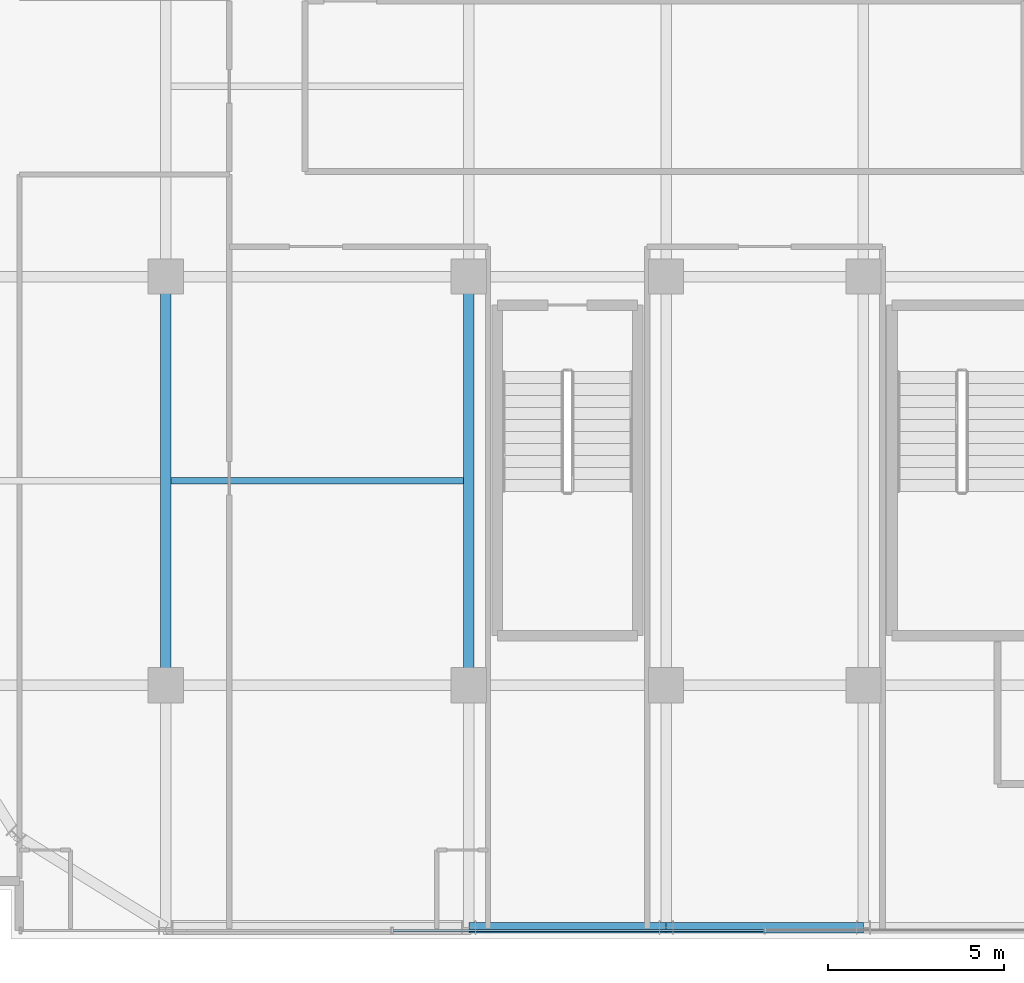
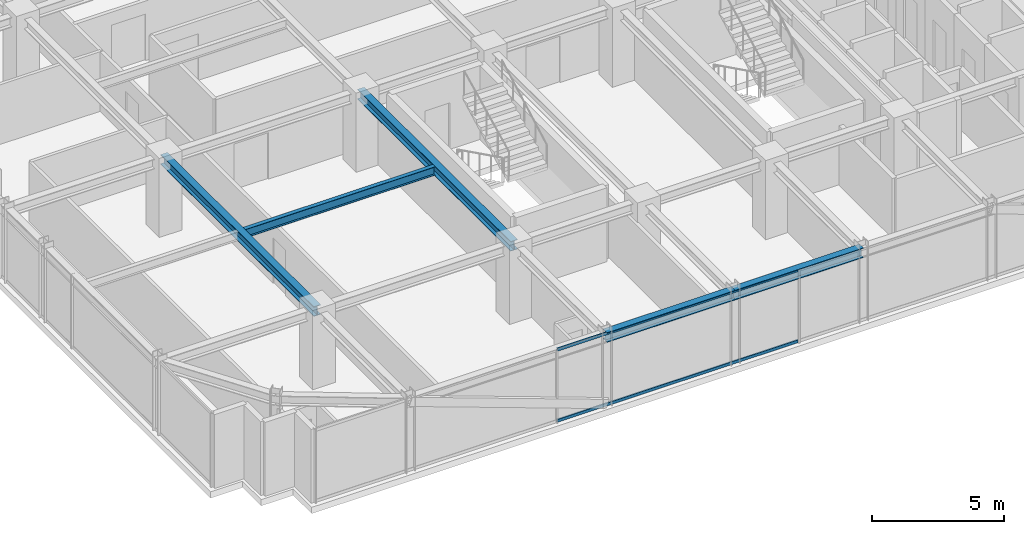
# One storey, part 7 of 36: 5 beams, 2 members, 1 element without a shape of its own.
"""IFC4 building model written with IfcOpenShell, lengths in metres."""

from ifc_helpers import new_model, si_unit, direction, frame, origin, origin_2d, place, context, subcontext, project, spatial, hollow_rectangle, i_section, extrude, source, transform, mapped, material, material_profile, profile_set, type_object, element, aggregate, save


model = new_model("IFC4")

# Units and contexts
model_context = context("Model", 3, precision=1e-05, world=origin(), true_north=direction((0.0, 1.0)))
body_context = subcontext(model_context, "Body", "Model", "MODEL_VIEW")
ifc_project = project(units=[si_unit("LENGTHUNIT", "METRE"), si_unit("AREAUNIT", "SQUARE_METRE"), si_unit("VOLUMEUNIT", "CUBIC_METRE"), si_unit("PLANEANGLEUNIT", "RADIAN"), si_unit("MASSUNIT", "GRAM", prefix="KILO")], contexts=[model_context])

# Site, building, storey
site_placement = place(None, origin())
site = spatial("IfcSite", under=ifc_project, at=site_placement, CompositionType="ELEMENT")
building_placement = place(site_placement, origin())
building = spatial("IfcBuilding", under=site, at=building_placement, Name="Nahalor Promenade Grand Hotel", CompositionType="ELEMENT")
storey_placement = place(building_placement, frame((0.0, 0.0, 234.5)))
storey = spatial("IfcBuildingStorey", under=building, at=storey_placement, Name="L60", CompositionType="ELEMENT", Elevation=234.5)

# Beams
ifc_material_1 = material(Name="Steel S355JR", Category="steel")
ifc_material_profile_1 = material_profile(ifc_material_1, i_section(OverallWidth=0.3, OverallDepth=0.45, WebThickness=0.014, FlangeThickness=0.026, at=origin_2d()), Name="HEB 450")
ifc_profile_set_1 = profile_set([ifc_material_profile_1], Name="Steel S355JR")
beam_type_1 = type_object("IfcBeamType", Name="Beam-Spandrel-HEB450", PredefinedType="SPANDREL", material=ifc_profile_set_1)
shared_shape_1 = source(origin(), body_context, "Body", "SweptSolid", [
    extrude(i_section(OverallWidth=0.3, OverallDepth=0.45, WebThickness=0.014, FlangeThickness=0.026, at=origin_2d()), origin(), (0.0, 0.0, 1.0), 5.599853515625),
])
beam_1_placement = place(storey_placement, frame((-8.39990234375, -23.8798828125, 3.18505859375), z_axis=(1.0, 0.0, 0.0), x_axis=(0.0, 1.0, 0.0)))
element("IfcBeam", 1, at=beam_1_placement, inside=storey, type_object=beam_type_1, Name="BM-L60-SP-S-1", PredefinedType="SPANDREL", context=body_context, shape_type="MappedRepresentation", body=[
    mapped(shared_shape_1, transform((0.0, 0.0, 0.0), scale=1.0)),
])
shared_shape_2 = source(origin(), body_context, "Body", "SweptSolid", [
    extrude(i_section(OverallWidth=0.3, OverallDepth=0.45, WebThickness=0.014, FlangeThickness=0.026, at=origin_2d()), origin(), (0.0, 0.0, 1.0), 5.60009765625),
])
beam_2_placement = place(storey_placement, frame((-2.800048828125, -23.8798828125, 3.18505859375), z_axis=(1.0, 0.0, 0.0), x_axis=(0.0, 1.0, 0.0)))
element("IfcBeam", 2, at=beam_2_placement, inside=storey, type_object=beam_type_1, Name="BM-L60-SP-S-2", PredefinedType="SPANDREL", context=body_context, shape_type="MappedRepresentation", body=[
    mapped(shared_shape_2, transform((0.0, 0.0, 0.0), scale=1.0)),
])
ifc_material_profile_2 = material_profile(ifc_material_1, i_section(OverallWidth=0.3, OverallDepth=0.45, WebThickness=0.014, FlangeThickness=0.026, at=origin_2d()), Name="HEB 450")
ifc_profile_set_2 = profile_set([ifc_material_profile_2], Name="Steel S355JR")
beam_type_2 = type_object("IfcBeamType", Name="Beam-Girder-HEB450", PredefinedType="BEAM", material=ifc_profile_set_2)
shared_shape_3 = source(origin(), body_context, "Body", "SweptSolid", [
    extrude(i_section(OverallWidth=0.3, OverallDepth=0.45, WebThickness=0.014, FlangeThickness=0.026, at=origin_2d()), origin(), (0.0, 0.0, 1.0), 11.60009765625),
])
for number, where, z_axis, x_axis, name in (
    (3, (-17.0, -17.0, 3.18505859375), (0.0, 1.0, 0.0), (-1.0, 0.0, 0.0), "BM-L60-GY-0-1"),
    (4, (-8.39990234375, -17.0, 3.18505859375), (0.0, 1.0, 0.0), (-1.0, 0.0, 0.0), "BM-L60-GY-1-1"),
):
    element("IfcBeam", number, at=place(storey_placement, frame(where, z_axis=z_axis, x_axis=x_axis)), inside=storey, type_object=beam_type_2, Name=name, PredefinedType="BEAM", context=body_context, shape_type="MappedRepresentation", body=[
        mapped(shared_shape_3, transform((0.0, 0.0, 0.0), scale=1.0)),
    ])
ifc_material_profile_3 = material_profile(ifc_material_1, i_section(OverallWidth=0.18, OverallDepth=0.4, WebThickness=0.0086, FlangeThickness=0.0135, at=origin_2d()), Name="IPE 400")
ifc_profile_set_3 = profile_set([ifc_material_profile_3], Name="Steel S355JR")
beam_type_3 = type_object("IfcBeamType", Name="Beam-Joist-IPE400", PredefinedType="JOIST", material=ifc_profile_set_3)
shared_shape_4 = source(origin(), body_context, "Body", "SweptSolid", [
    extrude(i_section(OverallWidth=0.18, OverallDepth=0.4, WebThickness=0.0086, FlangeThickness=0.0135, at=origin_2d()), origin(), (0.0, 0.0, 1.0), 8.300048828125),
])
beam_3_placement = place(storey_placement, frame((-16.85009765625, -11.199951171875, 3.2099609375), z_axis=(1.0, 0.0, 0.0), x_axis=(0.0, 1.0, 0.0)))
element("IfcBeam", 5, at=beam_3_placement, inside=storey, type_object=beam_type_3, Name="BM-L60-JSW-0-1", PredefinedType="JOIST", context=body_context, shape_type="MappedRepresentation", body=[
    mapped(shared_shape_4, transform((0.0, 0.0, 0.0), scale=1.0)),
])

# Curtain wall, members
ifc_material_2 = material(Name="Anodised Bronze Aluminium EN AW-6063 T6", Category="aluminium")
curtain_wall_type = type_object("IfcCurtainWallType", Name="CW2 Typical Hotel Flush Bronze Unitised Curtain Wall", PredefinedType="USERDEFINED", material=ifc_material_2)
curtain_wall_placement = place(storey_placement, origin())
curtain_wall = element("IfcCurtainWall", 6, at=curtain_wall_placement, inside=storey, type_object=curtain_wall_type, Name="L60 Curtain Wall CW-L60-S-1", ObjectType="UNITISED_CURTAIN_WALL", PredefinedType="USERDEFINED")
ifc_material_profile_4 = material_profile(ifc_material_2, hollow_rectangle(XDim=0.065, YDim=0.13, WallThickness=0.004, at=origin_2d()), Name="CWT 65x130x4")
ifc_profile_set_4 = profile_set([ifc_material_profile_4], Name="Anodised Bronze Aluminium EN AW-6063 T6")
member_type = type_object("IfcMemberType", Name="CWT2 Typical Bronze Transom 65x130", PredefinedType="USERDEFINED", material=ifc_profile_set_4)
shared_shape_5 = source(origin(), body_context, "Body", "SweptSolid", [
    extrude(hollow_rectangle(XDim=0.065, YDim=0.13, WallThickness=0.004, at=origin_2d()), origin(), (0.0, 0.0, 1.0), 10.51513671875),
])
member_1_placement = place(storey_placement, frame((-10.547607421875, -23.9599609375, 0.06494140625), z_axis=(1.0, 0.0, 0.0), x_axis=(0.0, 1.0, 0.0)))
member_1 = element("IfcMember", 7, at=member_1_placement, type_object=member_type, Name="CW-L60-S-1 Transom 1-0", ObjectType="TRANSOM", PredefinedType="USERDEFINED", context=body_context, shape_type="MappedRepresentation", body=[
    mapped(shared_shape_5, transform((0.0, 0.0, 0.0), scale=1.0)),
])
member_2_placement = place(storey_placement, frame((-10.547607421875, -23.9599609375, 3.344970703125), z_axis=(1.0, 0.0, 0.0), x_axis=(0.0, 1.0, 0.0)))
member_2 = element("IfcMember", 8, at=member_2_placement, type_object=member_type, Name="CW-L60-S-1 Transom 1-1", ObjectType="TRANSOM", PredefinedType="USERDEFINED", context=body_context, shape_type="MappedRepresentation", body=[
    mapped(shared_shape_5, transform((0.0, 0.0, 0.0), scale=1.0)),
])
aggregate(curtain_wall, [member_1, member_2])

save(model, "model.ifc")
